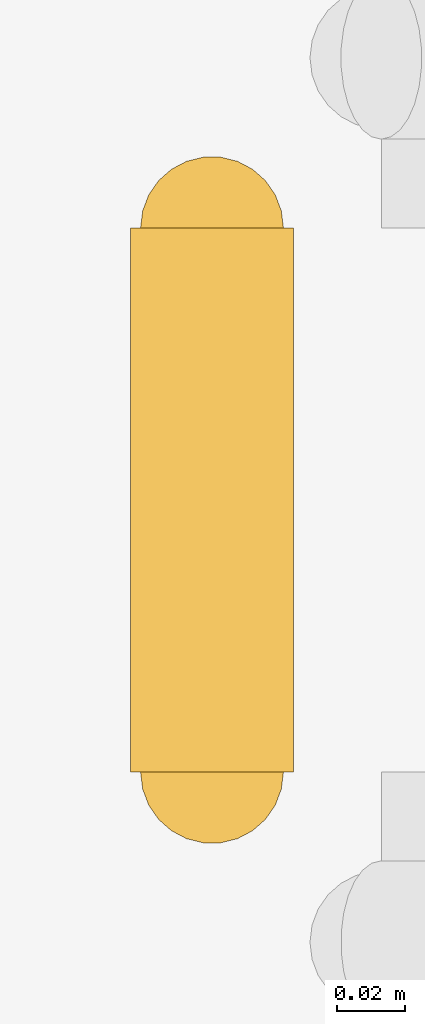
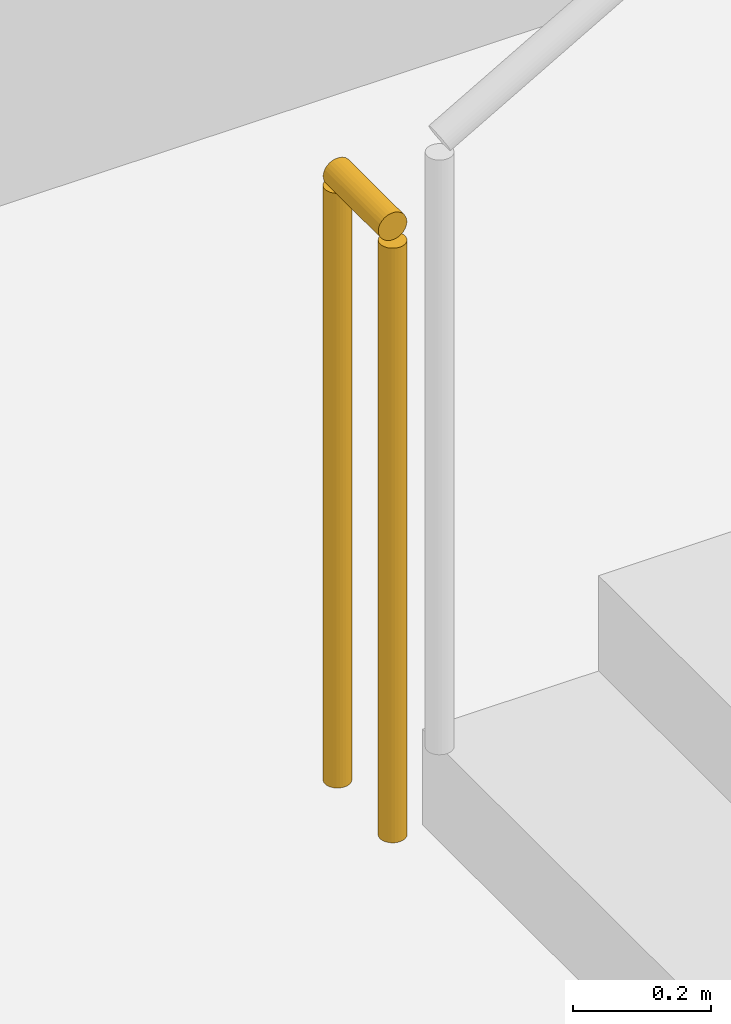
# One storey, part 56 of 65: 1 railing.
"""IFC4 building model written with IfcOpenShell, lengths in metres."""

from ifc_helpers import new_model, si_unit, direction, frame, origin, origin_2d, place, context, subcontext, project, spatial, circle, extrude, material, type_object, element, save


model = new_model("IFC4")

# Units and contexts
model_context = context("Model", 3, precision=1e-05, world=origin(), true_north=direction((0.0, 1.0)))
body_context = subcontext(model_context, "Body", "Model", "MODEL_VIEW")
ifc_project = project(units=[si_unit("LENGTHUNIT", "METRE"), si_unit("AREAUNIT", "SQUARE_METRE"), si_unit("VOLUMEUNIT", "CUBIC_METRE"), si_unit("PLANEANGLEUNIT", "RADIAN"), si_unit("MASSUNIT", "GRAM", prefix="KILO")], contexts=[model_context])

# Site, building, storey
site_placement = place(None, origin())
site = spatial("IfcSite", under=ifc_project, at=site_placement, CompositionType="ELEMENT")
building_placement = place(site_placement, origin())
building = spatial("IfcBuilding", under=site, at=building_placement, Name="Bramfleet General Hospital", CompositionType="ELEMENT")
storey_placement = place(building_placement, frame((0.0, 0.0, -5.39990234375)))
storey = spatial("IfcBuildingStorey", under=building, at=storey_placement, Name="B1", CompositionType="ELEMENT", Elevation=-5.39990234375)

# Railing
ifc_material = material(Name="Powder-coated steel stair balustrade", Category="steel")
railing_type = type_object("IfcRailingType", Name="RAIL-ST-GUARD", PredefinedType="GUARDRAIL", material=ifc_material)
railing_placement = place(storey_placement, frame((60.590087890625, 69.1201171875, 0.0)))
element("IfcRailing", 1, at=railing_placement, inside=storey, type_object=railing_type, Name="B1 ST-C13 stair guard 4", PredefinedType="GUARDRAIL", context=body_context, shape_type="SweptSolid", body=[
    extrude(circle(Radius=0.02392578125, at=origin_2d()), frame((0.0, 0.0, 1.076171875), z_axis=(0.0, 1.0, 0.0), x_axis=(-1.0, 0.0, 0.0)), (0.0, 0.0, 1.0), 0.159912109375),
    extrude(circle(Radius=0.02099609375, at=origin_2d()), origin(), (0.0, 0.0, 1.0), 1.052001953125),
    extrude(circle(Radius=0.02099609375, at=origin_2d()), frame((0.0, 0.159912109375, 0.0)), (0.0, 0.0, 1.0), 1.052001953125),
])

save(model, "model.ifc")
